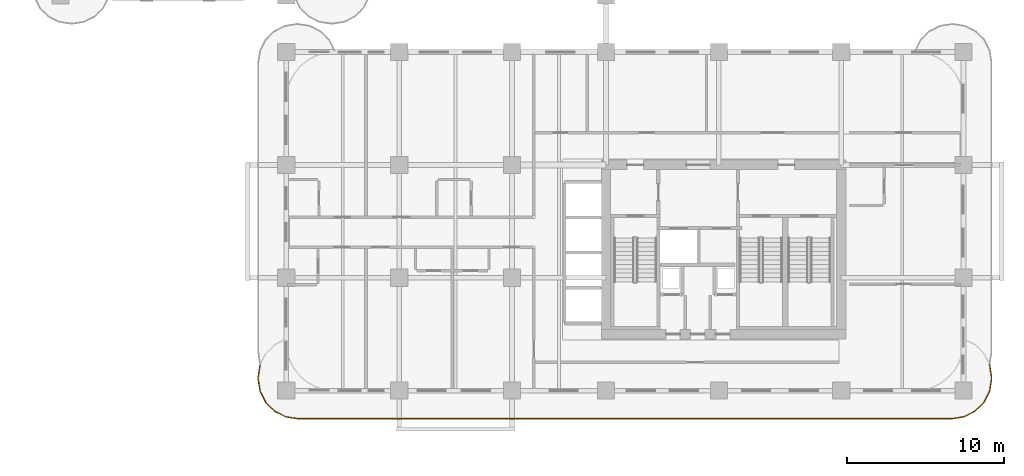
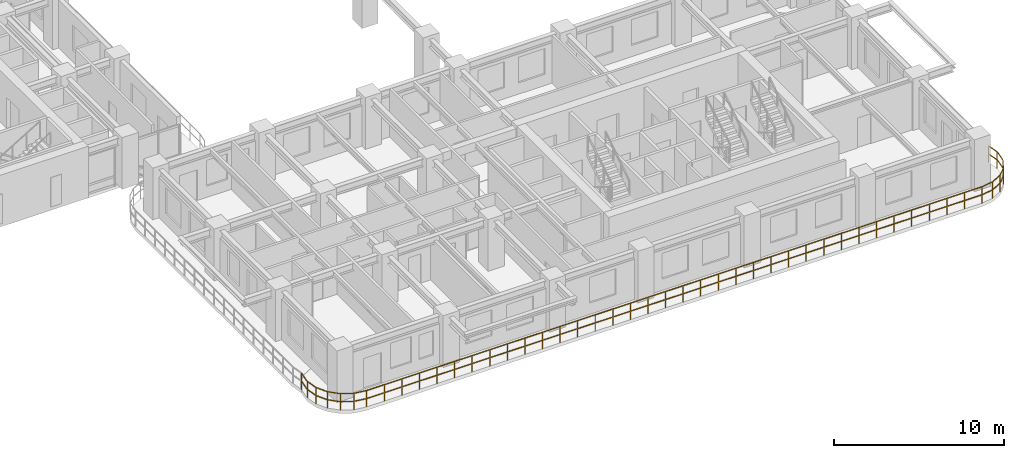
# One storey, part 13 of 18: 1 railing.
"""IFC4 building model written with IfcOpenShell, lengths in metres."""

from ifc_helpers import new_model, si_unit, derived_unit, direction, frame, origin, origin_2d, place, context, subcontext, project, spatial, rectangle, extrude, material, type_object, element, save


model = new_model("IFC4")

# Units and contexts
model_context = context("Model", 3, precision=1e-05, world=origin(), true_north=direction((0.0, 1.0)))
body_context = subcontext(model_context, "Body", "Model", "MODEL_VIEW")
ifc_project = project(units=[si_unit("LENGTHUNIT", "METRE"), si_unit("AREAUNIT", "SQUARE_METRE"), si_unit("VOLUMEUNIT", "CUBIC_METRE"), si_unit("PLANEANGLEUNIT", "RADIAN"), si_unit("MASSUNIT", "GRAM", prefix="KILO"), si_unit("THERMODYNAMICTEMPERATUREUNIT", "KELVIN"), si_unit("POWERUNIT", "WATT"), derived_unit("THERMALTRANSMITTANCEUNIT", [(si_unit("POWERUNIT", "WATT"), 1), (si_unit("AREAUNIT", "SQUARE_METRE"), -1), (si_unit("THERMODYNAMICTEMPERATUREUNIT", "KELVIN"), -1)])], contexts=[model_context])

# Site, building, storey
site_placement = place(None, origin())
site = spatial("IfcSite", under=ifc_project, at=site_placement, CompositionType="ELEMENT")
building_placement = place(site_placement, origin())
building = spatial("IfcBuilding", under=site, at=building_placement, Name="Zahravan Archway Hotel and Residences", CompositionType="ELEMENT")
storey_placement = place(building_placement, frame((0.0, 0.0, 36.10009765625)))
storey = spatial("IfcBuildingStorey", under=building, at=storey_placement, Name="L07", CompositionType="ELEMENT", Elevation=36.10009765625)

# Railing
ifc_material = material(Name="Bronze & Laminated Glass Balustrade", Category="glass")
railing_type = type_object("IfcRailingType", Name="RL-BAL-1200", PredefinedType="BALUSTRADE", material=ifc_material)
railing_placement = place(storey_placement, frame((59.275146484375, 1.637939453125, 0.0)))
element("IfcRailing", 1, at=railing_placement, inside=storey, type_object=railing_type, Name="L07 Balustrade RL-SLB-BAL-L07-SA-1", PredefinedType="BALUSTRADE", context=body_context, shape_type="SweptSolid", body=[
    extrude(rectangle(XDim=0.048095703125, YDim=0.048095703125, at=origin_2d()), frame((0.0, 0.0, 1.17578125), z_axis=(0.156402639467, -0.987693380745, 0.0), x_axis=(0.987693380745, 0.156402639467, 0.0)), (0.0, 0.0, 1.0), 0.797607421875),
    extrude(rectangle(XDim=0.048095703125, YDim=0.048095703125, at=origin_2d()), frame((0.0, 0.0, 0.60009765625), z_axis=(0.156402639467, -0.987693380745, 0.0), x_axis=(0.987693380745, 0.156402639467, 0.0)), (0.0, 0.0, 1.0), 0.797607421875),
    extrude(rectangle(XDim=0.048095703125, YDim=0.048095703125, at=origin_2d()), frame((0.124755859375, -0.787841796875, 1.17578125), z_axis=(0.0, -1.0, 0.0), x_axis=(1.0, 0.0, 0.0)), (0.0, 0.0, 1.0), 0.10009765625),
    extrude(rectangle(XDim=0.048095703125, YDim=0.048095703125, at=origin_2d()), frame((0.124755859375, -0.787841796875, 0.60009765625), z_axis=(0.0, -1.0, 0.0), x_axis=(1.0, 0.0, 0.0)), (0.0, 0.0, 1.0), 0.10009765625),
    extrude(rectangle(XDim=0.048095703125, YDim=0.048095703125, at=origin_2d()), frame((0.124755859375, -0.887939453125, 1.17578125), z_axis=(-0.156355372278, -0.987700864412, 0.0), x_axis=(0.987700864412, -0.156355372278, 0.0)), (0.0, 0.0, 1.0), 0.7978515625),
    extrude(rectangle(XDim=0.048095703125, YDim=0.048095703125, at=origin_2d()), frame((0.124755859375, -0.887939453125, 0.60009765625), z_axis=(-0.156355372278, -0.987700864412, 0.0), x_axis=(0.987700864412, -0.156355372278, 0.0)), (0.0, 0.0, 1.0), 0.7978515625),
    extrude(rectangle(XDim=0.048095703125, YDim=0.048095703125, at=origin_2d()), frame((0.0, -1.676025390625, 1.17578125), z_axis=(-0.453934952053, -0.891034824967, 0.0), x_axis=(0.891034824967, -0.453934952053, 0.0)), (0.0, 0.0, 1.0), 0.797607421875),
    extrude(rectangle(XDim=0.048095703125, YDim=0.048095703125, at=origin_2d()), frame((0.0, -1.676025390625, 0.60009765625), z_axis=(-0.453934952053, -0.891034824967, 0.0), x_axis=(0.891034824967, -0.453934952053, 0.0)), (0.0, 0.0, 1.0), 0.797607421875),
    extrude(rectangle(XDim=0.048095703125, YDim=0.048095703125, at=origin_2d()), frame((-0.362060546875, -2.38671875, 1.17578125), z_axis=(-0.707106781187, -0.707106781187, 0.0), x_axis=(0.707106781187, -0.707106781187, 0.0)), (0.0, 0.0, 1.0), 0.7978515625),
    extrude(rectangle(XDim=0.048095703125, YDim=0.048095703125, at=origin_2d()), frame((-0.362060546875, -2.38671875, 0.60009765625), z_axis=(-0.707106781187, -0.707106781187, 0.0), x_axis=(0.707106781187, -0.707106781187, 0.0)), (0.0, 0.0, 1.0), 0.7978515625),
    extrude(rectangle(XDim=0.048095703125, YDim=0.048095703125, at=origin_2d()), frame((-0.92626953125, -2.950927734375, 1.17578125), z_axis=(-0.890974108706, -0.454054113091, 0.0), x_axis=(0.454054113091, -0.890974108706, 0.0)), (0.0, 0.0, 1.0), 0.7978515625),
    extrude(rectangle(XDim=0.048095703125, YDim=0.048095703125, at=origin_2d()), frame((-0.92626953125, -2.950927734375, 0.60009765625), z_axis=(-0.890974108706, -0.454054113091, 0.0), x_axis=(0.454054113091, -0.890974108706, 0.0)), (0.0, 0.0, 1.0), 0.7978515625),
    extrude(rectangle(XDim=0.048095703125, YDim=0.048095703125, at=origin_2d()), frame((-1.63720703125, -3.313232421875, 1.17578125), z_axis=(-0.987693380745, -0.156402639467, 0.0), x_axis=(0.156402639467, -0.987693380745, 0.0)), (0.0, 0.0, 1.0), 0.797607421875),
    extrude(rectangle(XDim=0.048095703125, YDim=0.048095703125, at=origin_2d()), frame((-1.63720703125, -3.313232421875, 0.60009765625), z_axis=(-0.987693380745, -0.156402639467, 0.0), x_axis=(0.156402639467, -0.987693380745, 0.0)), (0.0, 0.0, 1.0), 0.797607421875),
    extrude(rectangle(XDim=0.048095703125, YDim=0.048095703125, at=origin_2d()), frame((-2.425048828125, -3.43798828125, 1.17578125), z_axis=(-1.0, 0.0, 0.0), x_axis=(0.0, -1.0, 0.0)), (0.0, 0.0, 1.0), 41.7001953125),
    extrude(rectangle(XDim=0.048095703125, YDim=0.048095703125, at=origin_2d()), frame((-2.425048828125, -3.43798828125, 0.60009765625), z_axis=(-1.0, 0.0, 0.0), x_axis=(0.0, -1.0, 0.0)), (0.0, 0.0, 1.0), 41.7001953125),
    extrude(rectangle(XDim=0.048095703125, YDim=0.048095703125, at=origin_2d()), frame((-44.125244140625, -3.43798828125, 1.17578125), z_axis=(-0.987693380745, 0.156402639467, 0.0), x_axis=(-0.156402639467, -0.987693380745, 0.0)), (0.0, 0.0, 1.0), 0.797607421875),
    extrude(rectangle(XDim=0.048095703125, YDim=0.048095703125, at=origin_2d()), frame((-44.125244140625, -3.43798828125, 0.60009765625), z_axis=(-0.987693380745, 0.156402639467, 0.0), x_axis=(-0.156402639467, -0.987693380745, 0.0)), (0.0, 0.0, 1.0), 0.797607421875),
    extrude(rectangle(XDim=0.048095703125, YDim=0.048095703125, at=origin_2d()), frame((-44.9130859375, -3.313232421875, 1.17578125), z_axis=(-0.890974108706, 0.454054113091, 0.0), x_axis=(-0.454054113091, -0.890974108706, 0.0)), (0.0, 0.0, 1.0), 0.7978515625),
    extrude(rectangle(XDim=0.048095703125, YDim=0.048095703125, at=origin_2d()), frame((-44.9130859375, -3.313232421875, 0.60009765625), z_axis=(-0.890974108706, 0.454054113091, 0.0), x_axis=(-0.454054113091, -0.890974108706, 0.0)), (0.0, 0.0, 1.0), 0.7978515625),
    extrude(rectangle(XDim=0.048095703125, YDim=0.048095703125, at=origin_2d()), frame((-45.6240234375, -2.950927734375, 1.17578125), z_axis=(-0.707106781187, 0.707106781187, 0.0), x_axis=(-0.707106781187, -0.707106781187, 0.0)), (0.0, 0.0, 1.0), 0.7978515625),
    extrude(rectangle(XDim=0.048095703125, YDim=0.048095703125, at=origin_2d()), frame((-45.6240234375, -2.950927734375, 0.60009765625), z_axis=(-0.707106781187, 0.707106781187, 0.0), x_axis=(-0.707106781187, -0.707106781187, 0.0)), (0.0, 0.0, 1.0), 0.7978515625),
    extrude(rectangle(XDim=0.048095703125, YDim=0.048095703125, at=origin_2d()), frame((-46.188232421875, -2.38671875, 1.17578125), z_axis=(-0.453934952053, 0.891034824967, 0.0), x_axis=(-0.891034824967, -0.453934952053, 0.0)), (0.0, 0.0, 1.0), 0.797607421875),
    extrude(rectangle(XDim=0.048095703125, YDim=0.048095703125, at=origin_2d()), frame((-46.188232421875, -2.38671875, 0.60009765625), z_axis=(-0.453934952053, 0.891034824967, 0.0), x_axis=(-0.891034824967, -0.453934952053, 0.0)), (0.0, 0.0, 1.0), 0.797607421875),
    extrude(rectangle(XDim=0.048095703125, YDim=0.048095703125, at=origin_2d()), frame((-46.55029296875, -1.676025390625, 1.17578125), z_axis=(-0.156355372278, 0.987700864412, 0.0), x_axis=(-0.987700864412, -0.156355372278, 0.0)), (0.0, 0.0, 1.0), 0.7978515625),
    extrude(rectangle(XDim=0.048095703125, YDim=0.048095703125, at=origin_2d()), frame((-46.55029296875, -1.676025390625, 0.60009765625), z_axis=(-0.156355372278, 0.987700864412, 0.0), x_axis=(-0.987700864412, -0.156355372278, 0.0)), (0.0, 0.0, 1.0), 0.7978515625),
    extrude(rectangle(XDim=0.048095703125, YDim=0.048095703125, at=origin_2d()), frame((-46.675048828125, -0.887939453125, 1.17578125), z_axis=(0.0, 1.0, 0.0), x_axis=(-1.0, 0.0, 0.0)), (0.0, 0.0, 1.0), 0.10009765625),
    extrude(rectangle(XDim=0.048095703125, YDim=0.048095703125, at=origin_2d()), frame((-46.675048828125, -0.887939453125, 0.60009765625), z_axis=(0.0, 1.0, 0.0), x_axis=(-1.0, 0.0, 0.0)), (0.0, 0.0, 1.0), 0.10009765625),
    extrude(rectangle(XDim=0.048095703125, YDim=0.048095703125, at=origin_2d()), frame((-46.675048828125, -0.787841796875, 1.17578125), z_axis=(0.156402639467, 0.987693380745, 0.0), x_axis=(-0.987693380745, 0.156402639467, 0.0)), (0.0, 0.0, 1.0), 0.797607421875),
    extrude(rectangle(XDim=0.048095703125, YDim=0.048095703125, at=origin_2d()), frame((-46.675048828125, -0.787841796875, 0.60009765625), z_axis=(0.156402639467, 0.987693380745, 0.0), x_axis=(-0.987693380745, 0.156402639467, 0.0)), (0.0, 0.0, 1.0), 0.797607421875),
    extrude(rectangle(XDim=0.0419921875, YDim=0.0419921875, at=origin_2d()), origin(), (0.0, 0.0, 1.0), 1.15185546875),
    extrude(rectangle(XDim=0.0419921875, YDim=0.0419921875, at=origin_2d()), frame((0.124755859375, -0.787841796875, 0.0)), (0.0, 0.0, 1.0), 1.15185546875),
    extrude(rectangle(XDim=0.0419921875, YDim=0.0419921875, at=origin_2d()), frame((0.0, -1.676025390625, 0.0)), (0.0, 0.0, 1.0), 1.15185546875),
    extrude(rectangle(XDim=0.0419921875, YDim=0.0419921875, at=origin_2d()), frame((-0.362060546875, -2.38671875, 0.0)), (0.0, 0.0, 1.0), 1.15185546875),
    extrude(rectangle(XDim=0.0419921875, YDim=0.0419921875, at=origin_2d()), frame((-0.92626953125, -2.950927734375, 0.0)), (0.0, 0.0, 1.0), 1.15185546875),
    extrude(rectangle(XDim=0.0419921875, YDim=0.0419921875, at=origin_2d()), frame((-1.63720703125, -3.313232421875, 0.0)), (0.0, 0.0, 1.0), 1.15185546875),
    extrude(rectangle(XDim=0.0419921875, YDim=0.0419921875, at=origin_2d()), frame((-2.425048828125, -3.43798828125, 0.0)), (0.0, 0.0, 1.0), 1.15185546875),
    extrude(rectangle(XDim=0.0419921875, YDim=0.0419921875, at=origin_2d()), frame((-3.616455078125, -3.43798828125, 0.0)), (0.0, 0.0, 1.0), 1.15185546875),
    extrude(rectangle(XDim=0.0419921875, YDim=0.0419921875, at=origin_2d()), frame((-4.807861328125, -3.43798828125, 0.0)), (0.0, 0.0, 1.0), 1.15185546875),
    extrude(rectangle(XDim=0.0419921875, YDim=0.0419921875, at=origin_2d()), frame((-5.999267578125, -3.43798828125, 0.0)), (0.0, 0.0, 1.0), 1.15185546875),
    extrude(rectangle(XDim=0.0419921875, YDim=0.0419921875, at=origin_2d()), frame((-7.190673828125, -3.43798828125, 0.0)), (0.0, 0.0, 1.0), 1.15185546875),
    extrude(rectangle(XDim=0.0419921875, YDim=0.0419921875, at=origin_2d()), frame((-8.38232421875, -3.43798828125, 0.0)), (0.0, 0.0, 1.0), 1.15185546875),
    extrude(rectangle(XDim=0.0419921875, YDim=0.0419921875, at=origin_2d()), frame((-9.57373046875, -3.43798828125, 0.0)), (0.0, 0.0, 1.0), 1.15185546875),
    extrude(rectangle(XDim=0.0419921875, YDim=0.0419921875, at=origin_2d()), frame((-10.76513671875, -3.43798828125, 0.0)), (0.0, 0.0, 1.0), 1.15185546875),
    extrude(rectangle(XDim=0.0419921875, YDim=0.0419921875, at=origin_2d()), frame((-11.95654296875, -3.43798828125, 0.0)), (0.0, 0.0, 1.0), 1.15185546875),
    extrude(rectangle(XDim=0.0419921875, YDim=0.0419921875, at=origin_2d()), frame((-13.14794921875, -3.43798828125, 0.0)), (0.0, 0.0, 1.0), 1.15185546875),
    extrude(rectangle(XDim=0.0419921875, YDim=0.0419921875, at=origin_2d()), frame((-14.33935546875, -3.43798828125, 0.0)), (0.0, 0.0, 1.0), 1.15185546875),
    extrude(rectangle(XDim=0.0419921875, YDim=0.0419921875, at=origin_2d()), frame((-15.53076171875, -3.43798828125, 0.0)), (0.0, 0.0, 1.0), 1.15185546875),
    extrude(rectangle(XDim=0.0419921875, YDim=0.0419921875, at=origin_2d()), frame((-16.72216796875, -3.43798828125, 0.0)), (0.0, 0.0, 1.0), 1.15185546875),
    extrude(rectangle(XDim=0.0419921875, YDim=0.0419921875, at=origin_2d()), frame((-17.91357421875, -3.43798828125, 0.0)), (0.0, 0.0, 1.0), 1.15185546875),
    extrude(rectangle(XDim=0.0419921875, YDim=0.0419921875, at=origin_2d()), frame((-19.105224609375, -3.43798828125, 0.0)), (0.0, 0.0, 1.0), 1.15185546875),
    extrude(rectangle(XDim=0.0419921875, YDim=0.0419921875, at=origin_2d()), frame((-20.296630859375, -3.43798828125, 0.0)), (0.0, 0.0, 1.0), 1.15185546875),
    extrude(rectangle(XDim=0.0419921875, YDim=0.0419921875, at=origin_2d()), frame((-21.488037109375, -3.43798828125, 0.0)), (0.0, 0.0, 1.0), 1.15185546875),
    extrude(rectangle(XDim=0.0419921875, YDim=0.0419921875, at=origin_2d()), frame((-22.679443359375, -3.43798828125, 0.0)), (0.0, 0.0, 1.0), 1.15185546875),
    extrude(rectangle(XDim=0.0419921875, YDim=0.0419921875, at=origin_2d()), frame((-23.870849609375, -3.43798828125, 0.0)), (0.0, 0.0, 1.0), 1.15185546875),
    extrude(rectangle(XDim=0.0419921875, YDim=0.0419921875, at=origin_2d()), frame((-25.062255859375, -3.43798828125, 0.0)), (0.0, 0.0, 1.0), 1.15185546875),
    extrude(rectangle(XDim=0.0419921875, YDim=0.0419921875, at=origin_2d()), frame((-26.253662109375, -3.43798828125, 0.0)), (0.0, 0.0, 1.0), 1.15185546875),
    extrude(rectangle(XDim=0.0419921875, YDim=0.0419921875, at=origin_2d()), frame((-27.445068359375, -3.43798828125, 0.0)), (0.0, 0.0, 1.0), 1.15185546875),
    extrude(rectangle(XDim=0.0419921875, YDim=0.0419921875, at=origin_2d()), frame((-28.63671875, -3.43798828125, 0.0)), (0.0, 0.0, 1.0), 1.15185546875),
    extrude(rectangle(XDim=0.0419921875, YDim=0.0419921875, at=origin_2d()), frame((-29.828125, -3.43798828125, 0.0)), (0.0, 0.0, 1.0), 1.15185546875),
    extrude(rectangle(XDim=0.0419921875, YDim=0.0419921875, at=origin_2d()), frame((-31.01953125, -3.43798828125, 0.0)), (0.0, 0.0, 1.0), 1.15185546875),
    extrude(rectangle(XDim=0.0419921875, YDim=0.0419921875, at=origin_2d()), frame((-32.2109375, -3.43798828125, 0.0)), (0.0, 0.0, 1.0), 1.15185546875),
    extrude(rectangle(XDim=0.0419921875, YDim=0.0419921875, at=origin_2d()), frame((-33.40234375, -3.43798828125, 0.0)), (0.0, 0.0, 1.0), 1.15185546875),
    extrude(rectangle(XDim=0.0419921875, YDim=0.0419921875, at=origin_2d()), frame((-34.59375, -3.43798828125, 0.0)), (0.0, 0.0, 1.0), 1.15185546875),
    extrude(rectangle(XDim=0.0419921875, YDim=0.0419921875, at=origin_2d()), frame((-35.78515625, -3.43798828125, 0.0)), (0.0, 0.0, 1.0), 1.15185546875),
    extrude(rectangle(XDim=0.0419921875, YDim=0.0419921875, at=origin_2d()), frame((-36.9765625, -3.43798828125, 0.0)), (0.0, 0.0, 1.0), 1.15185546875),
    extrude(rectangle(XDim=0.0419921875, YDim=0.0419921875, at=origin_2d()), frame((-38.16796875, -3.43798828125, 0.0)), (0.0, 0.0, 1.0), 1.15185546875),
    extrude(rectangle(XDim=0.0419921875, YDim=0.0419921875, at=origin_2d()), frame((-39.359619140625, -3.43798828125, 0.0)), (0.0, 0.0, 1.0), 1.15185546875),
    extrude(rectangle(XDim=0.0419921875, YDim=0.0419921875, at=origin_2d()), frame((-40.551025390625, -3.43798828125, 0.0)), (0.0, 0.0, 1.0), 1.15185546875),
    extrude(rectangle(XDim=0.0419921875, YDim=0.0419921875, at=origin_2d()), frame((-41.742431640625, -3.43798828125, 0.0)), (0.0, 0.0, 1.0), 1.15185546875),
    extrude(rectangle(XDim=0.0419921875, YDim=0.0419921875, at=origin_2d()), frame((-42.933837890625, -3.43798828125, 0.0)), (0.0, 0.0, 1.0), 1.15185546875),
    extrude(rectangle(XDim=0.0419921875, YDim=0.0419921875, at=origin_2d()), frame((-44.125244140625, -3.43798828125, 0.0)), (0.0, 0.0, 1.0), 1.15185546875),
    extrude(rectangle(XDim=0.0419921875, YDim=0.0419921875, at=origin_2d()), frame((-44.9130859375, -3.313232421875, 0.0)), (0.0, 0.0, 1.0), 1.15185546875),
    extrude(rectangle(XDim=0.0419921875, YDim=0.0419921875, at=origin_2d()), frame((-45.6240234375, -2.950927734375, 0.0)), (0.0, 0.0, 1.0), 1.15185546875),
    extrude(rectangle(XDim=0.0419921875, YDim=0.0419921875, at=origin_2d()), frame((-46.188232421875, -2.38671875, 0.0)), (0.0, 0.0, 1.0), 1.15185546875),
    extrude(rectangle(XDim=0.0419921875, YDim=0.0419921875, at=origin_2d()), frame((-46.55029296875, -1.676025390625, 0.0)), (0.0, 0.0, 1.0), 1.15185546875),
    extrude(rectangle(XDim=0.0419921875, YDim=0.0419921875, at=origin_2d()), frame((-46.675048828125, -0.887939453125, 0.0)), (0.0, 0.0, 1.0), 1.15185546875),
    extrude(rectangle(XDim=0.0419921875, YDim=0.0419921875, at=origin_2d()), frame((-46.55029296875, 0.0, 0.0)), (0.0, 0.0, 1.0), 1.15185546875),
])

save(model, "model.ifc")
